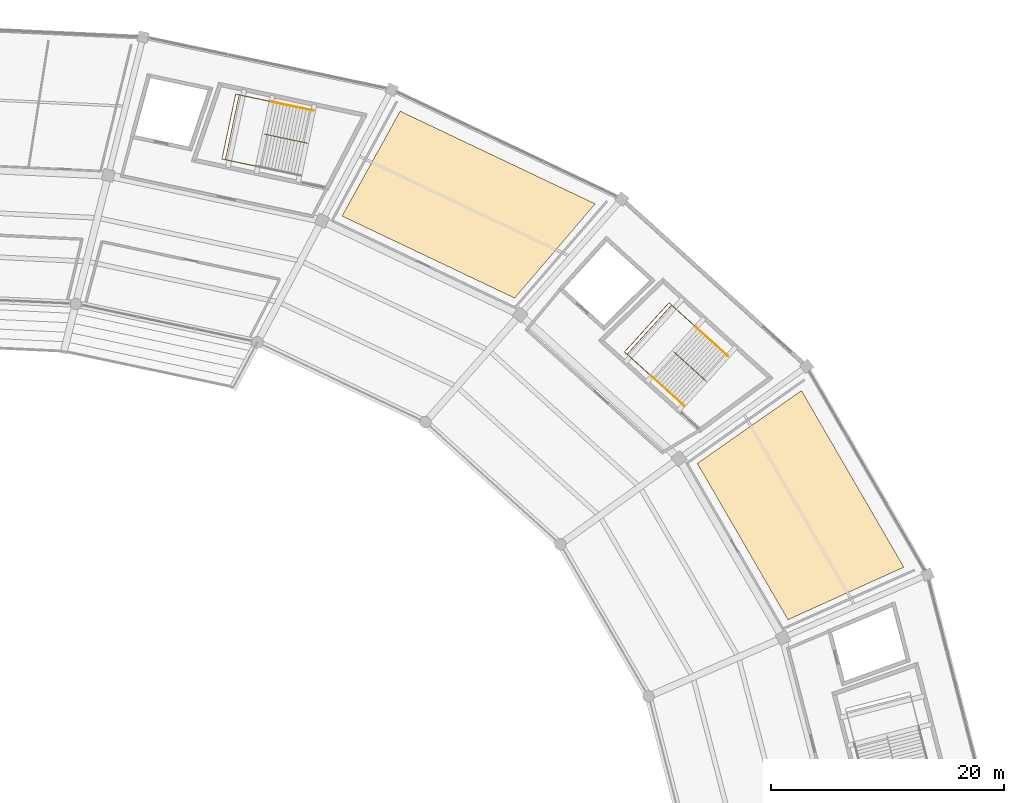
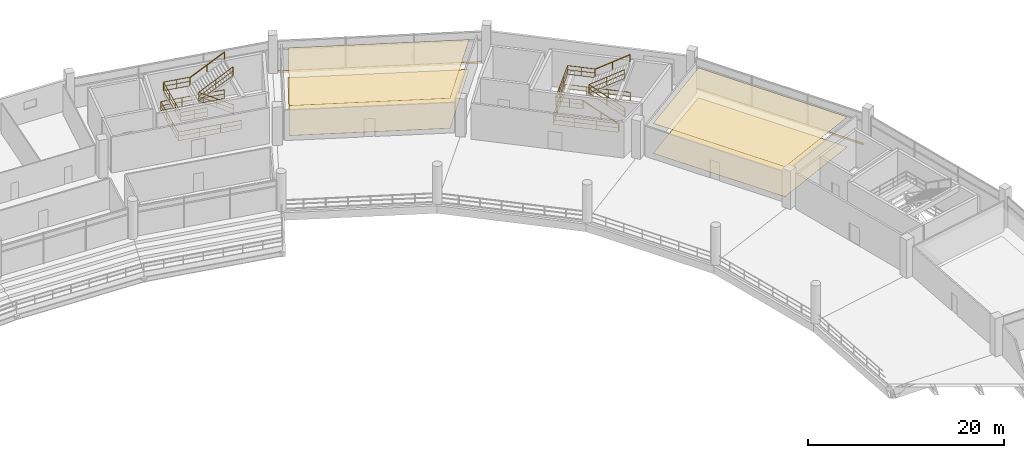
# One storey, part 171 of 171: 9 railings, 6 coverings.
"""IFC4 building model written with IfcOpenShell, lengths in metres."""

from ifc_helpers import new_model, si_unit, direction, frame, origin, origin_2d, place, context, subcontext, project, spatial, polyline, rectangle, outline, extrude, material, layer, layer_set, type_object, element, save


model = new_model("IFC4")

# Units and contexts
model_context = context("Model", 3, precision=1e-05, world=origin(), true_north=direction((0.0, 1.0)))
body_context = subcontext(model_context, "Body", "Model", "MODEL_VIEW")
ifc_project = project(units=[si_unit("LENGTHUNIT", "METRE"), si_unit("AREAUNIT", "SQUARE_METRE"), si_unit("VOLUMEUNIT", "CUBIC_METRE"), si_unit("PLANEANGLEUNIT", "RADIAN"), si_unit("MASSUNIT", "GRAM", prefix="KILO")], contexts=[model_context])

# Site, building, storey
site_placement = place(None, origin())
site = spatial("IfcSite", under=ifc_project, at=site_placement, CompositionType="ELEMENT")
building_placement = place(site_placement, origin())
building = spatial("IfcBuilding", under=site, at=building_placement, Name="Kazemori Nagisa Stadium", CompositionType="ELEMENT")
storey_placement = place(building_placement, frame((0.0, 0.0, 15.639892578125)))
storey = spatial("IfcBuildingStorey", under=building, at=storey_placement, Name="L03", CompositionType="ELEMENT", Elevation=15.639892578125)

# Coverings
ifc_material_1 = material(Name="Mineral-fibre acoustic board", Category="gypsum")
ifc_layer_1 = layer(ifc_material_1, 0.02001953125, Name="Mineral-fibre acoustic board", Category="gypsum")
ifc_layer_set_1 = layer_set([ifc_layer_1], Name="Mineral-fibre acoustic board")
covering_type_1 = type_object("IfcCoveringType", Name="Cov_CEIL", PredefinedType="CEILING", material=ifc_layer_set_1)
covering_1_placement = place(storey_placement, frame((0.0, 0.0, 3.730224609375)))
element("IfcCovering", 1, at=covering_1_placement, inside=storey, type_object=covering_type_1, Name="Acoustic ceiling L03-B03", PredefinedType="CEILING", context=body_context, shape_type="SweptSolid", body=[
    extrude(outline(polyline([(199.87353515625, 136.88330078125), (192.08203125, 150.320556640625), (201.034423828125, 156.582275390625), (209.835205078125, 141.40380859375), (199.87353515625, 136.88330078125)])), origin(), (0.0, 0.0, 1.0), 0.019775390625),
])
covering_2_placement = place(storey_placement, frame((0.0, 0.0, 3.730224609375)))
element("IfcCovering", 2, at=covering_2_placement, inside=storey, type_object=covering_type_1, Name="Acoustic ceiling L03-B05", PredefinedType="CEILING", context=body_context, shape_type="SweptSolid", body=[
    extrude(outline(polyline([(176.377197265625, 164.53759765625), (161.533935546875, 171.5908203125), (166.52734375, 180.60888671875), (183.294189453125, 172.6416015625), (176.377197265625, 164.53759765625)])), origin(), (0.0, 0.0, 1.0), 0.019775390625),
])
ifc_material_2 = material(Name="Porcelain stoneware tile", Category="masonry")
ifc_layer_2 = layer(ifc_material_2, 0.02490234375, Name="Porcelain stoneware tile", Category="masonry")
ifc_layer_set_2 = layer_set([ifc_layer_2], Name="Porcelain stoneware tile")
covering_type_2 = type_object("IfcCoveringType", Name="Cov_FLOOR", PredefinedType="FLOORING", material=ifc_layer_set_2)
covering_3_placement = place(storey_placement, origin())
element("IfcCovering", 3, at=covering_3_placement, inside=storey, type_object=covering_type_2, Name="Porcelain floor finish L03-B03", PredefinedType="FLOORING", context=body_context, shape_type="SweptSolid", body=[
    extrude(outline(polyline([(199.87353515625, 136.88330078125), (192.08203125, 150.320556640625), (201.034423828125, 156.582275390625), (209.835205078125, 141.40380859375), (199.87353515625, 136.88330078125)])), origin(), (0.0, 0.0, 1.0), 0.025146484375),
])
covering_4_placement = place(storey_placement, origin())
element("IfcCovering", 4, at=covering_4_placement, inside=storey, type_object=covering_type_2, Name="Porcelain floor finish L03-B05", PredefinedType="FLOORING", context=body_context, shape_type="SweptSolid", body=[
    extrude(outline(polyline([(176.377197265625, 164.53759765625), (161.533935546875, 171.5908203125), (166.52734375, 180.60888671875), (183.294189453125, 172.6416015625), (176.377197265625, 164.53759765625)])), origin(), (0.0, 0.0, 1.0), 0.025146484375),
])
ifc_material_3 = material(Name="Anodised aluminium 6063-T5", Category="aluminium")
ifc_layer_3 = layer(ifc_material_3, 0.034912109375, Name="Anodised aluminium 6063-T5", Category="aluminium")
ifc_layer_set_3 = layer_set([ifc_layer_3], Name="Anodised aluminium 6063-T5")
covering_type_3 = type_object("IfcCoveringType", Name="Covering_CLAD", PredefinedType="CLADDING", material=ifc_layer_set_3)
covering_5_placement = place(storey_placement, frame((206.690185546875, 149.70849609375, -0.259765625), z_axis=(0.0, 0.0, 1.0), x_axis=(-0.501611590054, 0.865092950337, 0.0)))
element("IfcCovering", 5, at=covering_5_placement, inside=storey, type_object=covering_type_3, Name="Anodised fascia cladding L03-B03", PredefinedType="CLADDING", context=body_context, shape_type="SweptSolid", body=[
    extrude(rectangle(XDim=19.6123046875, YDim=0.0400390625, at=origin_2d()), origin(), (0.0, 0.0, 1.0), 0.260009765625),
])
covering_6_placement = place(storey_placement, frame((175.701416015625, 177.76171875, -0.259765625), z_axis=(0.0, 0.0, 1.0), x_axis=(-0.903215892654, 0.429186499388, 0.0)))
element("IfcCovering", 6, at=covering_6_placement, inside=storey, type_object=covering_type_3, Name="Anodised fascia cladding L03-B05", PredefinedType="CLADDING", context=body_context, shape_type="SweptSolid", body=[
    extrude(rectangle(XDim=20.814208984375, YDim=0.0400390625, at=origin_2d()), origin(), (0.0, 0.0, 1.0), 0.260009765625),
])

# Railings
ifc_material_4 = material(Name="Galvanised powder-coated steel", Category="steel")
railing_type_1 = type_object("IfcRailingType", Name="Rail_GUARD", PredefinedType="GUARDRAIL", material=ifc_material_4)
railing_1_placement = place(storey_placement, frame((190.87646484375, 155.334228515625, 0.0)))
element("IfcRailing", 7, at=railing_1_placement, inside=storey, type_object=railing_type_1, Name="Stair well perimeter guard ST01-L03", PredefinedType="GUARDRAIL", context=body_context, shape_type="SweptSolid", body=[
    extrude(rectangle(XDim=0.050048828125, YDim=0.050048828125, at=origin_2d()), frame((0.0, 0.0, 1.09521484375), z_axis=(-0.741349748907, 0.671118879034, 0.0), x_axis=(-0.671118879034, -0.741349748907, 0.0)), (0.0, 0.0, 1.0), 6.81005859375),
    extrude(rectangle(XDim=0.03759765625, YDim=0.03759765625, at=origin_2d()), frame((0.0, 0.0, 0.58251953125), z_axis=(-0.741349748907, 0.671118879034, 0.0), x_axis=(-0.671118879034, -0.741349748907, 0.0)), (0.0, 0.0, 1.0), 6.81005859375),
    extrude(rectangle(XDim=0.03759765625, YDim=0.03759765625, at=origin_2d()), frame((0.0, 0.0, 0.02490234375), z_axis=(-0.741349748907, 0.671118879034, 0.0), x_axis=(-0.671118879034, -0.741349748907, 0.0)), (0.0, 0.0, 1.0), 6.81005859375),
    extrude(rectangle(XDim=0.050048828125, YDim=0.050048828125, at=origin_2d()), frame((-5.048583984375, 4.5703125, 1.09521484375), z_axis=(0.671089385604, 0.741376447245, 0.0), x_axis=(-0.741376447245, 0.671089385604, 0.0)), (0.0, 0.0, 1.0), 5.699951171875),
    extrude(rectangle(XDim=0.03759765625, YDim=0.03759765625, at=origin_2d()), frame((-5.048583984375, 4.5703125, 0.58251953125), z_axis=(0.671089385604, 0.741376447245, 0.0), x_axis=(-0.741376447245, 0.671089385604, 0.0)), (0.0, 0.0, 1.0), 5.699951171875),
    extrude(rectangle(XDim=0.03759765625, YDim=0.03759765625, at=origin_2d()), frame((-5.048583984375, 4.5703125, 0.02490234375), z_axis=(0.671089385604, 0.741376447245, 0.0), x_axis=(-0.741376447245, 0.671089385604, 0.0)), (0.0, 0.0, 1.0), 5.699951171875),
    extrude(rectangle(XDim=0.050048828125, YDim=0.050048828125, at=origin_2d()), frame((-1.223388671875, 8.796142578125, 1.09521484375), z_axis=(0.741349748907, -0.671118879034, 0.0), x_axis=(0.671118879034, 0.741349748907, 0.0)), (0.0, 0.0, 1.0), 6.81005859375),
    extrude(rectangle(XDim=0.03759765625, YDim=0.03759765625, at=origin_2d()), frame((-1.223388671875, 8.796142578125, 0.58251953125), z_axis=(0.741349748907, -0.671118879034, 0.0), x_axis=(0.671118879034, 0.741349748907, 0.0)), (0.0, 0.0, 1.0), 6.81005859375),
    extrude(rectangle(XDim=0.03759765625, YDim=0.03759765625, at=origin_2d()), frame((-1.223388671875, 8.796142578125, 0.02490234375), z_axis=(0.741349748907, -0.671118879034, 0.0), x_axis=(0.671118879034, 0.741349748907, 0.0)), (0.0, 0.0, 1.0), 6.81005859375),
    extrude(rectangle(XDim=0.044921875, YDim=0.044921875, at=origin_2d()), origin(), (0.0, 0.0, 1.0), 1.070068359375),
    extrude(rectangle(XDim=0.044921875, YDim=0.044921875, at=origin_2d()), frame((-1.682861328125, 1.5234375, 0.0)), (0.0, 0.0, 1.0), 1.070068359375),
    extrude(rectangle(XDim=0.044921875, YDim=0.044921875, at=origin_2d()), frame((-3.36572265625, 3.046875, 0.0)), (0.0, 0.0, 1.0), 1.070068359375),
    extrude(rectangle(XDim=0.044921875, YDim=0.044921875, at=origin_2d()), frame((-5.048583984375, 4.5703125, 0.0)), (0.0, 0.0, 1.0), 1.070068359375),
    extrude(rectangle(XDim=0.044921875, YDim=0.044921875, at=origin_2d()), frame((-3.7734375, 5.97900390625, 0.0)), (0.0, 0.0, 1.0), 1.070068359375),
    extrude(rectangle(XDim=0.044921875, YDim=0.044921875, at=origin_2d()), frame((-2.49853515625, 7.387451171875, 0.0)), (0.0, 0.0, 1.0), 1.070068359375),
    extrude(rectangle(XDim=0.044921875, YDim=0.044921875, at=origin_2d()), frame((-1.223388671875, 8.796142578125, 0.0)), (0.0, 0.0, 1.0), 1.070068359375),
    extrude(rectangle(XDim=0.044921875, YDim=0.044921875, at=origin_2d()), frame((0.45947265625, 7.272705078125, 0.0)), (0.0, 0.0, 1.0), 1.070068359375),
    extrude(rectangle(XDim=0.044921875, YDim=0.044921875, at=origin_2d()), frame((2.142333984375, 5.749267578125, 0.0)), (0.0, 0.0, 1.0), 1.070068359375),
    extrude(rectangle(XDim=0.044921875, YDim=0.044921875, at=origin_2d()), frame((3.8251953125, 4.225830078125, 0.0)), (0.0, 0.0, 1.0), 1.070068359375),
])
railing_2_placement = place(storey_placement, frame((192.848388671875, 157.393310546875, 0.0)))
element("IfcRailing", 8, at=railing_2_placement, inside=storey, type_object=railing_type_1, Name="Stair central guard ST01-L03", PredefinedType="GUARDRAIL", context=body_context, shape_type="SweptSolid", body=[
    extrude(rectangle(XDim=0.050048828125, YDim=0.050048828125, at=origin_2d()), frame((0.0, 0.0, 1.09521484375), z_axis=(-0.626131143726, 0.566878775362, 0.535358052989), x_axis=(-0.671160136809, -0.741312397548, 0.0)), (0.0, 0.0, 1.0), 4.44580078125),
    extrude(rectangle(XDim=0.03759765625, YDim=0.03759765625, at=origin_2d()), frame((0.0, 0.0, 0.58251953125), z_axis=(-0.626131143726, 0.566878775362, 0.535358052989), x_axis=(-0.671160136809, -0.741312397548, 0.0)), (0.0, 0.0, 1.0), 4.44580078125),
    extrude(rectangle(XDim=0.03759765625, YDim=0.03759765625, at=origin_2d()), frame((0.0, 0.0, 0.02490234375), z_axis=(-0.626131143726, 0.566878775362, 0.535358052989), x_axis=(-0.671160136809, -0.741312397548, 0.0)), (0.0, 0.0, 1.0), 4.44580078125),
    extrude(rectangle(XDim=0.050048828125, YDim=0.050048828125, at=origin_2d()), frame((-2.78369140625, 2.520263671875, 3.47509765625), z_axis=(0.622236543433, -0.563352970544, 0.543557830037), x_axis=(0.671160293698, 0.741312255506, 0.0)), (0.0, 0.0, 1.0), 4.37841796875),
    extrude(rectangle(XDim=0.03759765625, YDim=0.03759765625, at=origin_2d()), frame((-2.78369140625, 2.520263671875, 2.962646484375), z_axis=(0.622236543433, -0.563352970544, 0.543557830037), x_axis=(0.671160293698, 0.741312255506, 0.0)), (0.0, 0.0, 1.0), 4.37841796875),
    extrude(rectangle(XDim=0.03759765625, YDim=0.03759765625, at=origin_2d()), frame((-2.78369140625, 2.520263671875, 2.4052734375), z_axis=(0.622236543433, -0.563352970544, 0.543557830037), x_axis=(0.671160293698, 0.741312255506, 0.0)), (0.0, 0.0, 1.0), 4.37841796875),
    extrude(rectangle(XDim=0.044921875, YDim=0.044921875, at=origin_2d()), origin(), (0.0, 0.0, 1.0), 1.070068359375),
    extrude(rectangle(XDim=0.044921875, YDim=0.044921875, at=origin_2d()), frame((-1.391845703125, 1.26025390625, 1.18994140625)), (0.0, 0.0, 1.0), 1.070068359375),
    extrude(rectangle(XDim=0.044921875, YDim=0.044921875, at=origin_2d()), frame((-2.78369140625, 2.520263671875, 2.380126953125)), (0.0, 0.0, 1.0), 1.070068359375),
    extrude(rectangle(XDim=0.044921875, YDim=0.044921875, at=origin_2d()), frame((-1.42138671875, 1.287109375, 3.570068359375)), (0.0, 0.0, 1.0), 1.070068359375),
    extrude(rectangle(XDim=0.044921875, YDim=0.044921875, at=origin_2d()), frame((-0.059326171875, 0.0537109375, 4.760009765625)), (0.0, 0.0, 1.0), 1.070068359375),
])
railing_3_placement = place(storey_placement, frame((188.15185546875, 157.800537109375, 2.380126953125)))
element("IfcRailing", 9, at=railing_3_placement, inside=storey, type_object=railing_type_1, Name="Stair landing guard ST01-L03", PredefinedType="GUARDRAIL", context=body_context, shape_type="SweptSolid", body=[
    extrude(rectangle(XDim=0.050048828125, YDim=0.050048828125, at=origin_2d()), frame((0.0, 0.0, 1.09521484375), z_axis=(-0.741314535645, 0.671157775223, 0.0), x_axis=(-0.671157775223, -0.741314535645, 0.0)), (0.0, 0.0, 1.0), 2.85009765625),
    extrude(rectangle(XDim=0.03759765625, YDim=0.03759765625, at=origin_2d()), frame((0.0, 0.0, 0.58251953125), z_axis=(-0.741314535645, 0.671157775223, 0.0), x_axis=(-0.671157775223, -0.741314535645, 0.0)), (0.0, 0.0, 1.0), 2.85009765625),
    extrude(rectangle(XDim=0.03759765625, YDim=0.03759765625, at=origin_2d()), frame((0.0, 0.0, 0.02490234375), z_axis=(-0.741314535645, 0.671157775223, 0.0), x_axis=(-0.671157775223, -0.741314535645, 0.0)), (0.0, 0.0, 1.0), 2.85009765625),
    extrude(rectangle(XDim=0.050048828125, YDim=0.050048828125, at=origin_2d()), frame((-2.11279296875, 1.912841796875, 1.09521484375), z_axis=(0.67113423669, 0.74133584585, 0.0), x_axis=(-0.74133584585, 0.67113423669, 0.0)), (0.0, 0.0, 1.0), 5.699951171875),
    extrude(rectangle(XDim=0.03759765625, YDim=0.03759765625, at=origin_2d()), frame((-2.11279296875, 1.912841796875, 0.58251953125), z_axis=(0.67113423669, 0.74133584585, 0.0), x_axis=(-0.74133584585, 0.67113423669, 0.0)), (0.0, 0.0, 1.0), 5.699951171875),
    extrude(rectangle(XDim=0.03759765625, YDim=0.03759765625, at=origin_2d()), frame((-2.11279296875, 1.912841796875, 0.02490234375), z_axis=(0.67113423669, 0.74133584585, 0.0), x_axis=(-0.74133584585, 0.67113423669, 0.0)), (0.0, 0.0, 1.0), 5.699951171875),
    extrude(rectangle(XDim=0.050048828125, YDim=0.050048828125, at=origin_2d()), frame((1.712646484375, 6.138427734375, 1.09521484375), z_axis=(0.741357156534, -0.671110696127, 0.0), x_axis=(0.671110696127, 0.741357156534, 0.0)), (0.0, 0.0, 1.0), 2.849853515625),
    extrude(rectangle(XDim=0.03759765625, YDim=0.03759765625, at=origin_2d()), frame((1.712646484375, 6.138427734375, 0.58251953125), z_axis=(0.741357156534, -0.671110696127, 0.0), x_axis=(0.671110696127, 0.741357156534, 0.0)), (0.0, 0.0, 1.0), 2.849853515625),
    extrude(rectangle(XDim=0.03759765625, YDim=0.03759765625, at=origin_2d()), frame((1.712646484375, 6.138427734375, 0.02490234375), z_axis=(0.741357156534, -0.671110696127, 0.0), x_axis=(0.671110696127, 0.741357156534, 0.0)), (0.0, 0.0, 1.0), 2.849853515625),
    extrude(rectangle(XDim=0.044921875, YDim=0.044921875, at=origin_2d()), origin(), (0.0, 0.0, 1.0), 1.070068359375),
    extrude(rectangle(XDim=0.044921875, YDim=0.044921875, at=origin_2d()), frame((-1.056396484375, 0.95654296875, 0.0)), (0.0, 0.0, 1.0), 1.070068359375),
    extrude(rectangle(XDim=0.044921875, YDim=0.044921875, at=origin_2d()), frame((-2.11279296875, 1.912841796875, 0.0)), (0.0, 0.0, 1.0), 1.070068359375),
    extrude(rectangle(XDim=0.044921875, YDim=0.044921875, at=origin_2d()), frame((-0.837646484375, 3.3212890625, 0.0)), (0.0, 0.0, 1.0), 1.070068359375),
    extrude(rectangle(XDim=0.044921875, YDim=0.044921875, at=origin_2d()), frame((0.4375, 4.72998046875, 0.0)), (0.0, 0.0, 1.0), 1.070068359375),
    extrude(rectangle(XDim=0.044921875, YDim=0.044921875, at=origin_2d()), frame((1.712646484375, 6.138427734375, 0.0)), (0.0, 0.0, 1.0), 1.070068359375),
    extrude(rectangle(XDim=0.044921875, YDim=0.044921875, at=origin_2d()), frame((2.76904296875, 5.18212890625, 0.0)), (0.0, 0.0, 1.0), 1.070068359375),
    extrude(rectangle(XDim=0.044921875, YDim=0.044921875, at=origin_2d()), frame((3.825439453125, 4.225830078125, 0.0)), (0.0, 0.0, 1.0), 1.070068359375),
])
railing_4_placement = place(storey_placement, frame((157.87890625, 175.08642578125, 0.0)))
element("IfcRailing", 10, at=railing_4_placement, inside=storey, type_object=railing_type_1, Name="Stair well perimeter guard ST11-L03", PredefinedType="GUARDRAIL", context=body_context, shape_type="SweptSolid", body=[
    extrude(rectangle(XDim=0.050048828125, YDim=0.050048828125, at=origin_2d()), frame((0.0, 0.0, 1.09521484375), z_axis=(-0.978341606021, 0.206996864535, 0.0), x_axis=(-0.206996864535, -0.978341606021, 0.0)), (0.0, 0.0, 1.0), 6.81005859375),
    extrude(rectangle(XDim=0.03759765625, YDim=0.03759765625, at=origin_2d()), frame((0.0, 0.0, 0.58251953125), z_axis=(-0.978341606021, 0.206996864535, 0.0), x_axis=(-0.206996864535, -0.978341606021, 0.0)), (0.0, 0.0, 1.0), 6.81005859375),
    extrude(rectangle(XDim=0.03759765625, YDim=0.03759765625, at=origin_2d()), frame((0.0, 0.0, 0.02490234375), z_axis=(-0.978341606021, 0.206996864535, 0.0), x_axis=(-0.206996864535, -0.978341606021, 0.0)), (0.0, 0.0, 1.0), 6.81005859375),
    extrude(rectangle(XDim=0.050048828125, YDim=0.050048828125, at=origin_2d()), frame((-6.66259765625, 1.40966796875, 1.09521484375), z_axis=(0.206968840618, 0.978347534884, 0.0), x_axis=(-0.978347534884, 0.206968840618, 0.0)), (0.0, 0.0, 1.0), 5.699951171875),
    extrude(rectangle(XDim=0.03759765625, YDim=0.03759765625, at=origin_2d()), frame((-6.66259765625, 1.40966796875, 0.58251953125), z_axis=(0.206968840618, 0.978347534884, 0.0), x_axis=(-0.978347534884, 0.206968840618, 0.0)), (0.0, 0.0, 1.0), 5.699951171875),
    extrude(rectangle(XDim=0.03759765625, YDim=0.03759765625, at=origin_2d()), frame((-6.66259765625, 1.40966796875, 0.02490234375), z_axis=(0.206968840618, 0.978347534884, 0.0), x_axis=(-0.978347534884, 0.206968840618, 0.0)), (0.0, 0.0, 1.0), 5.699951171875),
    extrude(rectangle(XDim=0.050048828125, YDim=0.050048828125, at=origin_2d()), frame((-5.48291015625, 6.986083984375, 1.09521484375), z_axis=(0.978348865551, -0.206962550415, 0.0), x_axis=(0.206962550415, 0.978348865551, 0.0)), (0.0, 0.0, 1.0), 6.81005859375),
    extrude(rectangle(XDim=0.03759765625, YDim=0.03759765625, at=origin_2d()), frame((-5.48291015625, 6.986083984375, 0.58251953125), z_axis=(0.978348865551, -0.206962550415, 0.0), x_axis=(0.206962550415, 0.978348865551, 0.0)), (0.0, 0.0, 1.0), 6.81005859375),
    extrude(rectangle(XDim=0.03759765625, YDim=0.03759765625, at=origin_2d()), frame((-5.48291015625, 6.986083984375, 0.02490234375), z_axis=(0.978348865551, -0.206962550415, 0.0), x_axis=(0.206962550415, 0.978348865551, 0.0)), (0.0, 0.0, 1.0), 6.81005859375),
    extrude(rectangle(XDim=0.044921875, YDim=0.044921875, at=origin_2d()), origin(), (0.0, 0.0, 1.0), 1.070068359375),
    extrude(rectangle(XDim=0.044921875, YDim=0.044921875, at=origin_2d()), frame((-2.220947265625, 0.469970703125, 0.0)), (0.0, 0.0, 1.0), 1.070068359375),
    extrude(rectangle(XDim=0.044921875, YDim=0.044921875, at=origin_2d()), frame((-4.441650390625, 0.939697265625, 0.0)), (0.0, 0.0, 1.0), 1.070068359375),
    extrude(rectangle(XDim=0.044921875, YDim=0.044921875, at=origin_2d()), frame((-6.66259765625, 1.40966796875, 0.0)), (0.0, 0.0, 1.0), 1.070068359375),
    extrude(rectangle(XDim=0.044921875, YDim=0.044921875, at=origin_2d()), frame((-6.269287109375, 3.2685546875, 0.0)), (0.0, 0.0, 1.0), 1.070068359375),
    extrude(rectangle(XDim=0.044921875, YDim=0.044921875, at=origin_2d()), frame((-5.876220703125, 5.127197265625, 0.0)), (0.0, 0.0, 1.0), 1.070068359375),
    extrude(rectangle(XDim=0.044921875, YDim=0.044921875, at=origin_2d()), frame((-5.48291015625, 6.986083984375, 0.0)), (0.0, 0.0, 1.0), 1.070068359375),
    extrude(rectangle(XDim=0.044921875, YDim=0.044921875, at=origin_2d()), frame((-3.261962890625, 6.516357421875, 0.0)), (0.0, 0.0, 1.0), 1.070068359375),
    extrude(rectangle(XDim=0.044921875, YDim=0.044921875, at=origin_2d()), frame((-1.041259765625, 6.04638671875, 0.0)), (0.0, 0.0, 1.0), 1.070068359375),
    extrude(rectangle(XDim=0.044921875, YDim=0.044921875, at=origin_2d()), frame((1.1796875, 5.57666015625, 0.0)), (0.0, 0.0, 1.0), 1.070068359375),
])
railing_5_placement = place(storey_placement, frame((158.546875, 177.858154296875, 0.0)))
element("IfcRailing", 11, at=railing_5_placement, inside=storey, type_object=railing_type_1, Name="Stair central guard ST11-L03", PredefinedType="GUARDRAIL", context=body_context, shape_type="SweptSolid", body=[
    extrude(rectangle(XDim=0.050048828125, YDim=0.050048828125, at=origin_2d()), frame((0.0, 0.0, 1.09521484375), z_axis=(-0.826317976268, 0.174851893164, 0.535374091223), x_axis=(-0.207019627691, -0.978336789531, 0.0)), (0.0, 0.0, 1.0), 4.44580078125),
    extrude(rectangle(XDim=0.03759765625, YDim=0.03759765625, at=origin_2d()), frame((0.0, 0.0, 0.58251953125), z_axis=(-0.826317976268, 0.174851893164, 0.535374091223), x_axis=(-0.207019627691, -0.978336789531, 0.0)), (0.0, 0.0, 1.0), 4.44580078125),
    extrude(rectangle(XDim=0.03759765625, YDim=0.03759765625, at=origin_2d()), frame((0.0, 0.0, 0.02490234375), z_axis=(-0.826317976268, 0.174851893164, 0.535374091223), x_axis=(-0.207019627691, -0.978336789531, 0.0)), (0.0, 0.0, 1.0), 4.44580078125),
    extrude(rectangle(XDim=0.050048828125, YDim=0.050048828125, at=origin_2d()), frame((-3.673583984375, 0.77734375, 3.47509765625), z_axis=(0.821191524487, -0.173751123128, 0.543557749759), x_axis=(0.207001389366, 0.97834064865, 0.0)), (0.0, 0.0, 1.0), 4.37841796875),
    extrude(rectangle(XDim=0.03759765625, YDim=0.03759765625, at=origin_2d()), frame((-3.673583984375, 0.77734375, 2.962646484375), z_axis=(0.821191524487, -0.173751123128, 0.543557749759), x_axis=(0.207001389366, 0.97834064865, 0.0)), (0.0, 0.0, 1.0), 4.37841796875),
    extrude(rectangle(XDim=0.03759765625, YDim=0.03759765625, at=origin_2d()), frame((-3.673583984375, 0.77734375, 2.4052734375), z_axis=(0.821191524487, -0.173751123128, 0.543557749759), x_axis=(0.207001389366, 0.97834064865, 0.0)), (0.0, 0.0, 1.0), 4.37841796875),
    extrude(rectangle(XDim=0.044921875, YDim=0.044921875, at=origin_2d()), origin(), (0.0, 0.0, 1.0), 1.070068359375),
    extrude(rectangle(XDim=0.044921875, YDim=0.044921875, at=origin_2d()), frame((-1.8369140625, 0.388671875, 1.18994140625)), (0.0, 0.0, 1.0), 1.070068359375),
    extrude(rectangle(XDim=0.044921875, YDim=0.044921875, at=origin_2d()), frame((-3.673583984375, 0.77734375, 2.380126953125)), (0.0, 0.0, 1.0), 1.070068359375),
    extrude(rectangle(XDim=0.044921875, YDim=0.044921875, at=origin_2d()), frame((-1.8759765625, 0.39697265625, 3.570068359375)), (0.0, 0.0, 1.0), 1.070068359375),
    extrude(rectangle(XDim=0.044921875, YDim=0.044921875, at=origin_2d()), frame((-0.078125, 0.0166015625, 4.760009765625)), (0.0, 0.0, 1.0), 1.070068359375),
])
railing_6_placement = place(storey_placement, frame((154.283447265625, 175.84716796875, 2.380126953125)))
element("IfcRailing", 12, at=railing_6_placement, inside=storey, type_object=railing_type_1, Name="Stair landing guard ST11-L03", PredefinedType="GUARDRAIL", context=body_context, shape_type="SweptSolid", body=[
    extrude(rectangle(XDim=0.050048828125, YDim=0.050048828125, at=origin_2d()), frame((0.0, 0.0, 1.09521484375), z_axis=(-0.978349369565, 0.206960167837, 0.0), x_axis=(-0.206960167837, -0.978349369565, 0.0)), (0.0, 0.0, 1.0), 2.85009765625),
    extrude(rectangle(XDim=0.03759765625, YDim=0.03759765625, at=origin_2d()), frame((0.0, 0.0, 0.58251953125), z_axis=(-0.978349369565, 0.206960167837, 0.0), x_axis=(-0.206960167837, -0.978349369565, 0.0)), (0.0, 0.0, 1.0), 2.85009765625),
    extrude(rectangle(XDim=0.03759765625, YDim=0.03759765625, at=origin_2d()), frame((0.0, 0.0, 0.02490234375), z_axis=(-0.978349369565, 0.206960167837, 0.0), x_axis=(-0.206960167837, -0.978349369565, 0.0)), (0.0, 0.0, 1.0), 2.85009765625),
    extrude(rectangle(XDim=0.050048828125, YDim=0.050048828125, at=origin_2d()), frame((-2.788330078125, 0.58984375, 1.09521484375), z_axis=(0.206960167837, 0.978349369565, 0.0), x_axis=(-0.978349369565, 0.206960167837, 0.0)), (0.0, 0.0, 1.0), 5.699951171875),
    extrude(rectangle(XDim=0.03759765625, YDim=0.03759765625, at=origin_2d()), frame((-2.788330078125, 0.58984375, 0.58251953125), z_axis=(0.206960167837, 0.978349369565, 0.0), x_axis=(-0.978349369565, 0.206960167837, 0.0)), (0.0, 0.0, 1.0), 5.699951171875),
    extrude(rectangle(XDim=0.03759765625, YDim=0.03759765625, at=origin_2d()), frame((-2.788330078125, 0.58984375, 0.02490234375), z_axis=(0.206960167837, 0.978349369565, 0.0), x_axis=(-0.978349369565, 0.206960167837, 0.0)), (0.0, 0.0, 1.0), 5.699951171875),
    extrude(rectangle(XDim=0.050048828125, YDim=0.050048828125, at=origin_2d()), frame((-1.608642578125, 6.16650390625, 1.09521484375), z_axis=(0.978349369565, -0.206960167837, 0.0), x_axis=(0.206960167837, 0.978349369565, 0.0)), (0.0, 0.0, 1.0), 2.85009765625),
    extrude(rectangle(XDim=0.03759765625, YDim=0.03759765625, at=origin_2d()), frame((-1.608642578125, 6.16650390625, 0.58251953125), z_axis=(0.978349369565, -0.206960167837, 0.0), x_axis=(0.206960167837, 0.978349369565, 0.0)), (0.0, 0.0, 1.0), 2.85009765625),
    extrude(rectangle(XDim=0.03759765625, YDim=0.03759765625, at=origin_2d()), frame((-1.608642578125, 6.16650390625, 0.02490234375), z_axis=(0.978349369565, -0.206960167837, 0.0), x_axis=(0.206960167837, 0.978349369565, 0.0)), (0.0, 0.0, 1.0), 2.85009765625),
    extrude(rectangle(XDim=0.044921875, YDim=0.044921875, at=origin_2d()), origin(), (0.0, 0.0, 1.0), 1.070068359375),
    extrude(rectangle(XDim=0.044921875, YDim=0.044921875, at=origin_2d()), frame((-1.39404296875, 0.294921875, 0.0)), (0.0, 0.0, 1.0), 1.070068359375),
    extrude(rectangle(XDim=0.044921875, YDim=0.044921875, at=origin_2d()), frame((-2.788330078125, 0.58984375, 0.0)), (0.0, 0.0, 1.0), 1.070068359375),
    extrude(rectangle(XDim=0.044921875, YDim=0.044921875, at=origin_2d()), frame((-2.39501953125, 2.44873046875, 0.0)), (0.0, 0.0, 1.0), 1.070068359375),
    extrude(rectangle(XDim=0.044921875, YDim=0.044921875, at=origin_2d()), frame((-2.001953125, 4.3076171875, 0.0)), (0.0, 0.0, 1.0), 1.070068359375),
    extrude(rectangle(XDim=0.044921875, YDim=0.044921875, at=origin_2d()), frame((-1.608642578125, 6.16650390625, 0.0)), (0.0, 0.0, 1.0), 1.070068359375),
    extrude(rectangle(XDim=0.044921875, YDim=0.044921875, at=origin_2d()), frame((-0.21435546875, 5.87158203125, 0.0)), (0.0, 0.0, 1.0), 1.070068359375),
    extrude(rectangle(XDim=0.044921875, YDim=0.044921875, at=origin_2d()), frame((1.1796875, 5.57666015625, 0.0)), (0.0, 0.0, 1.0), 1.070068359375),
])
ifc_material_5 = material(Name="Stainless steel SUS304", Category="steel")
railing_type_2 = type_object("IfcRailingType", Name="Rail_HAND", PredefinedType="HANDRAIL", material=ifc_material_5)
railing_7_placement = place(storey_placement, frame((190.935791015625, 155.280517578125, 0.170166015625)))
element("IfcRailing", 13, at=railing_7_placement, inside=storey, type_object=railing_type_2, Name="Stair handrail ST01-L03-F1", PredefinedType="HANDRAIL", context=body_context, shape_type="SweptSolid", body=[
    extrude(rectangle(XDim=0.050048828125, YDim=0.050048828125, at=origin_2d()), frame((0.0, 0.0, 0.875), z_axis=(-0.626202427282, 0.566838678804, 0.535317132434), x_axis=(-0.671092057118, -0.741374028998, 0.0)), (0.0, 0.0, 1.0), 4.44580078125),
    extrude(rectangle(XDim=0.044921875, YDim=0.044921875, at=origin_2d()), origin(), (0.0, 0.0, 1.0), 0.849853515625),
    extrude(rectangle(XDim=0.044921875, YDim=0.044921875, at=origin_2d()), frame((-1.39208984375, 1.260009765625, 1.18994140625)), (0.0, 0.0, 1.0), 0.849853515625),
    extrude(rectangle(XDim=0.044921875, YDim=0.044921875, at=origin_2d()), frame((-2.783935546875, 2.52001953125, 2.3798828125)), (0.0, 0.0, 1.0), 0.849853515625),
])
railing_8_placement = place(storey_placement, frame((191.977294921875, 162.0263671875, 2.550048828125)))
element("IfcRailing", 14, at=railing_8_placement, inside=storey, type_object=railing_type_2, Name="Stair handrail ST01-L03-F2", PredefinedType="HANDRAIL", context=body_context, shape_type="SweptSolid", body=[
    extrude(rectangle(XDim=0.050048828125, YDim=0.050048828125, at=origin_2d()), frame((0.0, 0.0, 0.875), z_axis=(0.622237228322, -0.5632978296, 0.543614189346), x_axis=(0.671123784078, 0.741345308506, 0.0)), (0.0, 0.0, 1.0), 4.37841796875),
    extrude(rectangle(XDim=0.044921875, YDim=0.044921875, at=origin_2d()), origin(), (0.0, 0.0, 1.0), 0.849853515625),
    extrude(rectangle(XDim=0.044921875, YDim=0.044921875, at=origin_2d()), frame((1.3623046875, -1.233154296875, 1.18994140625)), (0.0, 0.0, 1.0), 0.849853515625),
    extrude(rectangle(XDim=0.044921875, YDim=0.044921875, at=origin_2d()), frame((2.724365234375, -2.46630859375, 2.380126953125)), (0.0, 0.0, 1.0), 0.849853515625),
])
railing_9_placement = place(storey_placement, frame((155.463134765625, 181.423828125, 2.550048828125)))
element("IfcRailing", 15, at=railing_9_placement, inside=storey, type_object=railing_type_2, Name="Stair handrail ST11-L03-F2", PredefinedType="HANDRAIL", context=body_context, shape_type="SweptSolid", body=[
    extrude(rectangle(XDim=0.050048828125, YDim=0.050048828125, at=origin_2d()), frame((0.0, 0.0, 0.875), z_axis=(0.821166634604, -0.173745856823, 0.54359703407), x_axis=(0.207001389366, 0.97834064865, 0.0)), (0.0, 0.0, 1.0), 4.37841796875),
    extrude(rectangle(XDim=0.044921875, YDim=0.044921875, at=origin_2d()), origin(), (0.0, 0.0, 1.0), 0.849853515625),
    extrude(rectangle(XDim=0.044921875, YDim=0.044921875, at=origin_2d()), frame((1.7978515625, -0.38037109375, 1.18994140625)), (0.0, 0.0, 1.0), 0.849853515625),
    extrude(rectangle(XDim=0.044921875, YDim=0.044921875, at=origin_2d()), frame((3.595458984375, -0.7607421875, 2.380126953125)), (0.0, 0.0, 1.0), 0.849853515625),
])

save(model, "model.ifc")
